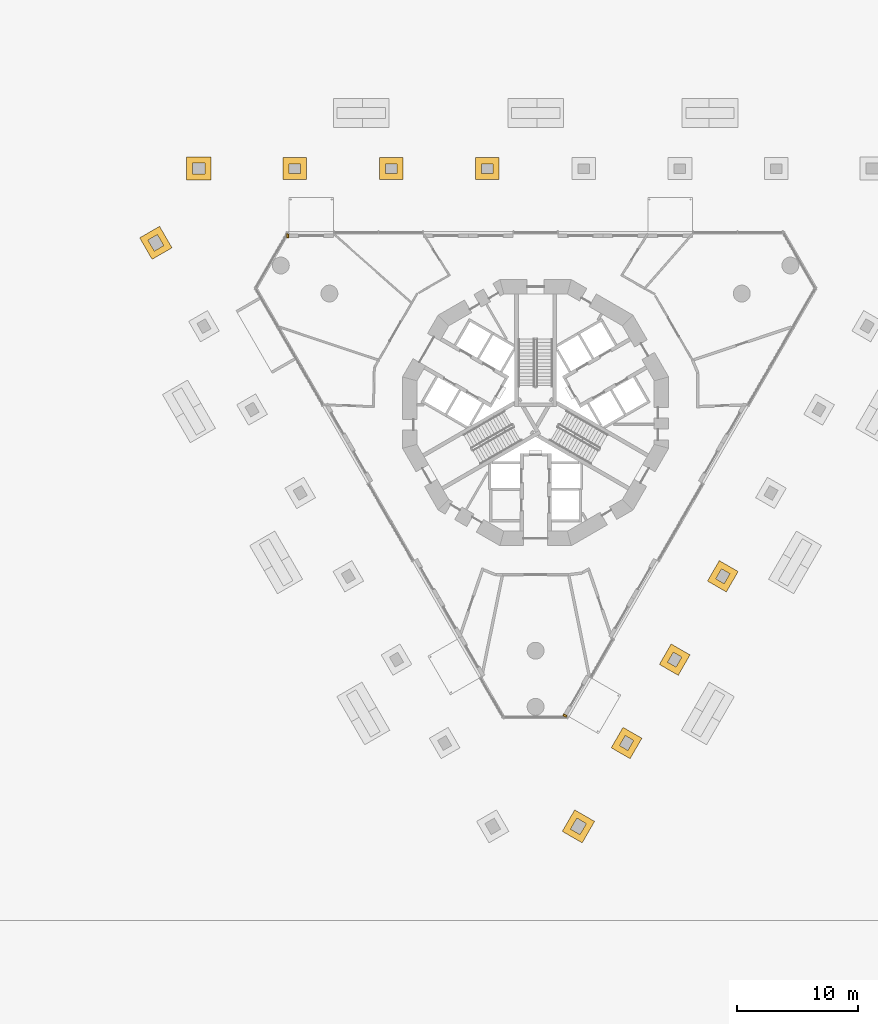
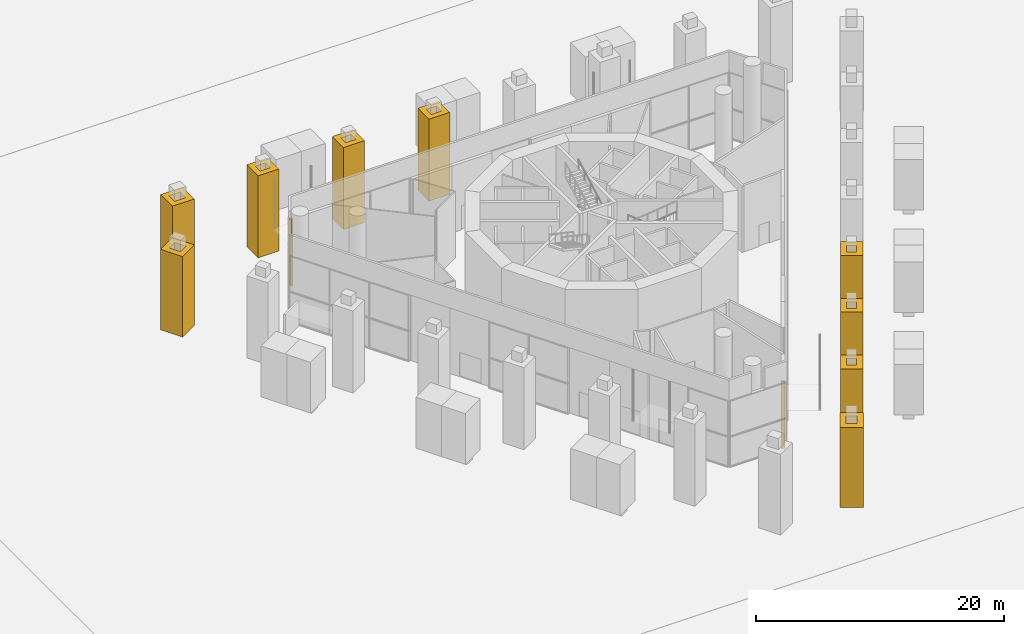
# One storey, part 19 of 26: 11 coverings.
"""IFC4 building model written with IfcOpenShell, lengths in metres."""

from ifc_helpers import new_model, si_unit, direction, origin, place, context, subcontext, project, spatial, polyline, outline, extrude, material, layer, layer_set, type_object, element, save


model = new_model("IFC4")

# Units and contexts
model_context = context("Model", 3, precision=1e-05, world=origin(), true_north=direction((0.0, 1.0)))
body_context = subcontext(model_context, "Body", "Model", "MODEL_VIEW")
ifc_project = project(units=[si_unit("LENGTHUNIT", "METRE"), si_unit("AREAUNIT", "SQUARE_METRE"), si_unit("VOLUMEUNIT", "CUBIC_METRE"), si_unit("PLANEANGLEUNIT", "RADIAN"), si_unit("MASSUNIT", "GRAM", prefix="KILO")], contexts=[model_context])

# Site, building, storey
site_placement = place(None, origin())
site = spatial("IfcSite", under=ifc_project, at=site_placement, CompositionType="ELEMENT")
building_placement = place(site_placement, origin())
building = spatial("IfcBuilding", under=site, at=building_placement, Name="Trine Commons Tower", CompositionType="ELEMENT")
storey_placement = place(building_placement, origin())
storey = spatial("IfcBuildingStorey", under=building, at=storey_placement, Name="L00", CompositionType="ELEMENT", Elevation=0.0)

# Coverings
ifc_material_1 = material(Name="Limestone, honed", Category="masonry")
ifc_layer_1 = layer(ifc_material_1, 0.5)
ifc_layer_set_1 = layer_set([ifc_layer_1], Name="Limestone, honed")
covering_type_1 = type_object("IfcCoveringType", Name="Limestone pier cladding 500", PredefinedType="CLADDING", material=ifc_layer_set_1)
covering_1_placement = place(storey_placement, origin())
element("IfcCovering", 1, at=covering_1_placement, inside=storey, type_object=covering_type_1, Name="Limestone stilt pier cladding 01", PredefinedType="CLADDING", context=body_context, shape_type="SweptSolid", body=[
    extrude(outline(polyline([(48.893798828125, 77.908203125), (47.24853515625, 76.9580078125), (48.2734375, 75.1826171875), (49.9189453125, 76.1328125), (48.893798828125, 77.908203125)]), holes=[polyline([(48.7109375, 77.22509765625), (47.931396484375, 76.775146484375), (48.45654296875, 75.86572265625), (49.23583984375, 76.315673828125), (48.7109375, 77.22509765625)])]), origin(), (0.0, 0.0, 1.0), 7.929931640625),
])
covering_2_placement = place(storey_placement, origin())
element("IfcCovering", 2, at=covering_2_placement, inside=storey, type_object=covering_type_1, Name="Limestone stilt pier cladding 02", PredefinedType="CLADDING", context=body_context, shape_type="SweptSolid", body=[
    extrude(outline(polyline([(53.1533203125, 81.734619140625), (53.1533203125, 83.634521484375), (51.103271484375, 83.634521484375), (51.103271484375, 81.734619140625), (53.1533203125, 81.734619140625)]), holes=[polyline([(52.6533203125, 82.234619140625), (52.6533203125, 83.134521484375), (51.603271484375, 83.134521484375), (51.603271484375, 82.234619140625), (52.6533203125, 82.234619140625)])]), origin(), (0.0, 0.0, 1.0), 7.929931640625),
])
covering_3_placement = place(storey_placement, origin())
element("IfcCovering", 3, at=covering_3_placement, inside=storey, type_object=covering_type_1, Name="Limestone stilt pier cladding 05", PredefinedType="CLADDING", context=body_context, shape_type="SweptSolid", body=[
    extrude(outline(polyline([(61.066650390625, 81.78466796875), (61.066650390625, 83.584716796875), (59.11669921875, 83.584716796875), (59.11669921875, 81.78466796875), (61.066650390625, 81.78466796875)]), holes=[polyline([(60.566650390625, 82.28466796875), (60.566650390625, 83.084716796875), (59.61669921875, 83.084716796875), (59.61669921875, 82.28466796875), (60.566650390625, 82.28466796875)])]), origin(), (0.0, 0.0, 1.0), 8.080078125),
])
covering_4_placement = place(storey_placement, origin())
element("IfcCovering", 4, at=covering_4_placement, inside=storey, type_object=covering_type_1, Name="Limestone stilt pier cladding 08", PredefinedType="CLADDING", context=body_context, shape_type="SweptSolid", body=[
    extrude(outline(polyline([(69.02978515625, 81.78466796875), (69.02978515625, 83.584716796875), (67.079833984375, 83.584716796875), (67.079833984375, 81.78466796875), (69.02978515625, 81.78466796875)]), holes=[polyline([(68.52978515625, 82.28466796875), (68.52978515625, 83.084716796875), (67.579833984375, 83.084716796875), (67.579833984375, 82.28466796875), (68.52978515625, 82.28466796875)])]), origin(), (0.0, 0.0, 1.0), 8.080078125),
])
covering_5_placement = place(storey_placement, origin())
element("IfcCovering", 5, at=covering_5_placement, inside=storey, type_object=covering_type_1, Name="Limestone stilt pier cladding 11", PredefinedType="CLADDING", context=body_context, shape_type="SweptSolid", body=[
    extrude(outline(polyline([(76.993408203125, 81.78466796875), (76.993408203125, 83.584716796875), (75.043212890625, 83.584716796875), (75.043212890625, 81.78466796875), (76.993408203125, 81.78466796875)]), holes=[polyline([(76.493408203125, 82.28466796875), (76.493408203125, 83.084716796875), (75.543212890625, 83.084716796875), (75.543212890625, 82.28466796875), (76.493408203125, 82.28466796875)])]), origin(), (0.0, 0.0, 1.0), 8.080078125),
])
covering_6_placement = place(storey_placement, origin())
element("IfcCovering", 6, at=covering_6_placement, inside=storey, type_object=covering_type_1, Name="Limestone stilt pier cladding 13", PredefinedType="CLADDING", context=body_context, shape_type="SweptSolid", body=[
    extrude(outline(polyline([(84.879638671875, 28.6826171875), (83.234375, 29.6328125), (82.209228515625, 27.857421875), (83.854736328125, 26.9072265625), (84.879638671875, 28.6826171875)]), holes=[polyline([(84.19677734375, 28.499755859375), (83.417236328125, 28.94970703125), (82.892333984375, 28.040283203125), (83.671630859375, 27.59033203125), (84.19677734375, 28.499755859375)])]), origin(), (0.0, 0.0, 1.0), 7.929931640625),
])
covering_7_placement = place(storey_placement, origin())
element("IfcCovering", 7, at=covering_7_placement, inside=storey, type_object=covering_type_1, Name="Limestone stilt pier cladding 15", PredefinedType="CLADDING", context=body_context, shape_type="SweptSolid", body=[
    extrude(outline(polyline([(88.793212890625, 35.560791015625), (87.234375, 36.4609375), (86.25927734375, 34.772216796875), (87.818115234375, 33.8720703125), (88.793212890625, 35.560791015625)]), holes=[polyline([(88.110107421875, 35.3779296875), (87.417236328125, 35.77783203125), (86.9423828125, 34.955078125), (87.635009765625, 34.55517578125), (88.110107421875, 35.3779296875)])]), origin(), (0.0, 0.0, 1.0), 8.080078125),
])
covering_8_placement = place(storey_placement, origin())
element("IfcCovering", 8, at=covering_8_placement, inside=storey, type_object=covering_type_1, Name="Limestone stilt pier cladding 16", PredefinedType="CLADDING", context=body_context, shape_type="SweptSolid", body=[
    extrude(outline(polyline([(92.77490234375, 42.45751953125), (91.216064453125, 43.357421875), (90.240966796875, 41.668701171875), (91.7998046875, 40.7685546875), (92.77490234375, 42.45751953125)]), holes=[polyline([(92.091796875, 42.2744140625), (91.39892578125, 42.67431640625), (90.924072265625, 41.8515625), (91.61669921875, 41.45166015625), (92.091796875, 42.2744140625)])]), origin(), (0.0, 0.0, 1.0), 8.080078125),
])
covering_9_placement = place(storey_placement, origin())
element("IfcCovering", 9, at=covering_9_placement, inside=storey, type_object=covering_type_1, Name="Limestone stilt pier cladding 18", PredefinedType="CLADDING", context=body_context, shape_type="SweptSolid", body=[
    extrude(outline(polyline([(96.75634765625, 49.35400390625), (95.197509765625, 50.25390625), (94.22265625, 48.565185546875), (95.781494140625, 47.6650390625), (96.75634765625, 49.35400390625)]), holes=[polyline([(96.073486328125, 49.1708984375), (95.380615234375, 49.57080078125), (94.905517578125, 48.748046875), (95.598388671875, 48.34814453125), (96.073486328125, 49.1708984375)])]), origin(), (0.0, 0.0, 1.0), 8.080078125),
])
ifc_material_2 = material(Name="Anodised aluminium cladding, bronze finish", Category="aluminium")
ifc_layer_2 = layer(ifc_material_2, 0.300048828125)
ifc_layer_set_2 = layer_set([ifc_layer_2], Name="Anodised aluminium cladding, bronze finish")
covering_type_2 = type_object("IfcCoveringType", Name="Pavilion corner closer 300", PredefinedType="CLADDING", material=ifc_layer_set_2)
covering_10_placement = place(storey_placement, origin())
element("IfcCovering", 10, at=covering_10_placement, inside=storey, type_object=covering_type_2, Name="Pavilion corner closer F2 Q", PredefinedType="CLADDING", context=body_context, shape_type="SweptSolid", body=[
    extrude(outline(polyline([(82.59814453125, 37.430908203125), (82.33837890625, 37.580810546875), (82.25830078125, 37.442138671875), (82.51806640625, 37.292236328125), (82.59814453125, 37.430908203125)])), origin(), (0.0, 0.0, 1.0), 6.60009765625),
])
covering_11_placement = place(storey_placement, origin())
element("IfcCovering", 11, at=covering_11_placement, inside=storey, type_object=covering_type_2, Name="Pavilion corner closer F1 P", PredefinedType="CLADDING", context=body_context, shape_type="SweptSolid", body=[
    extrude(outline(polyline([(59.58837890625, 77.28466796875), (59.428466796875, 77.28466796875), (59.428466796875, 76.984619140625), (59.58837890625, 76.984619140625), (59.58837890625, 77.28466796875)])), origin(), (0.0, 0.0, 1.0), 6.60009765625),
])

save(model, "model.ifc")
